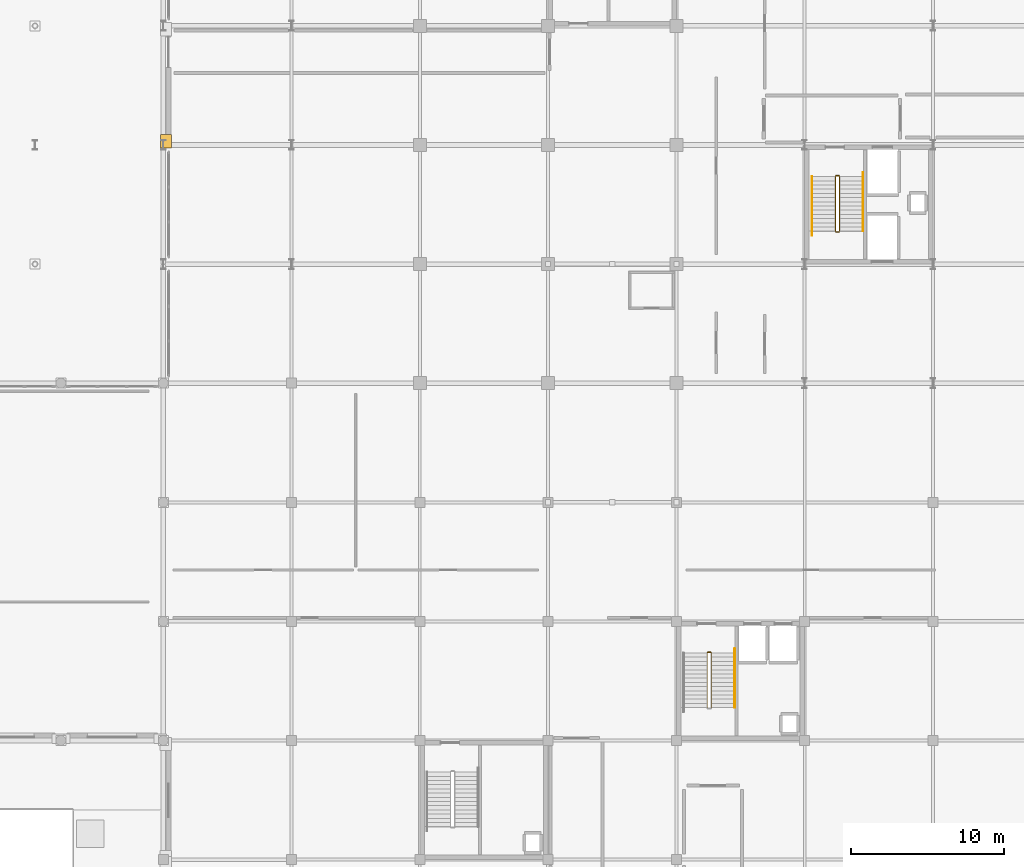
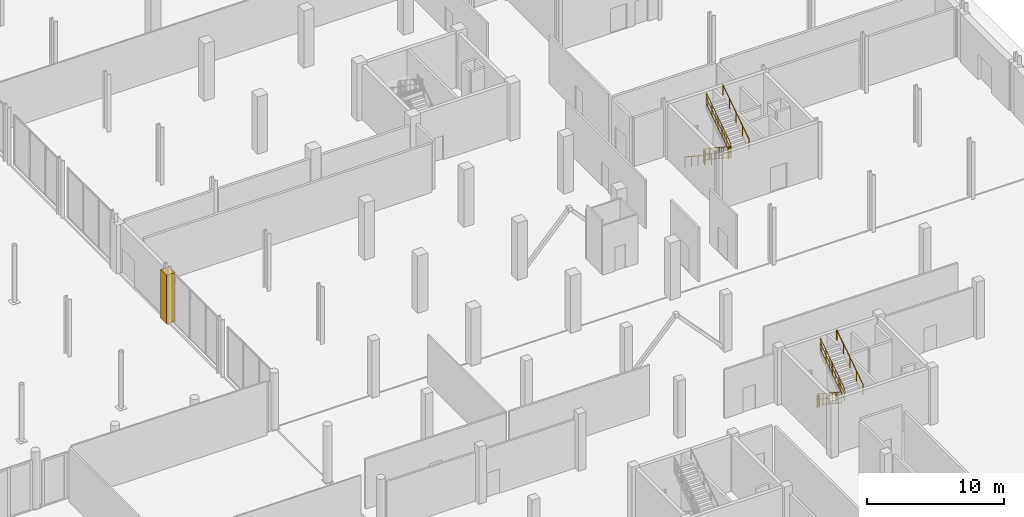
# One storey, part 77 of 80: 10 railings, 1 covering.
"""IFC4 building model written with IfcOpenShell, lengths in metres."""

from ifc_helpers import new_model, si_unit, direction, frame, origin, origin_2d, place, context, subcontext, project, spatial, polyline, circle, outline, extrude, material, layer, layer_set, type_object, element, save


model = new_model("IFC4")

# Units and contexts
model_context = context("Model", 3, precision=1e-05, world=origin(), true_north=direction((0.0, 1.0)))
body_context = subcontext(model_context, "Body", "Model", "MODEL_VIEW")
ifc_project = project(units=[si_unit("LENGTHUNIT", "METRE"), si_unit("AREAUNIT", "SQUARE_METRE"), si_unit("VOLUMEUNIT", "CUBIC_METRE"), si_unit("PLANEANGLEUNIT", "RADIAN"), si_unit("MASSUNIT", "GRAM", prefix="KILO")], contexts=[model_context])

# Site, building, storey
site_placement = place(None, origin())
site = spatial("IfcSite", under=ifc_project, at=site_placement, CompositionType="ELEMENT")
building_placement = place(site_placement, origin())
building = spatial("IfcBuilding", under=site, at=building_placement, Name="Nabrawat Pavilion Hospital", CompositionType="ELEMENT")
storey_placement = place(building_placement, origin())
storey = spatial("IfcBuildingStorey", under=building, at=storey_placement, Name="L00", CompositionType="ELEMENT", Elevation=0.0)

# Covering
ifc_material_1 = material(Name="Precast concrete C40/50", Category="concrete")
ifc_layer_1 = layer(ifc_material_1, 0.360107421875, Name="Precast concrete C40/50")
ifc_layer_set_1 = layer_set([ifc_layer_1], Name="Precast concrete C40/50")
covering_type = type_object("IfcCoveringType", Name="Architectural Precast Column-Jamb Closure Reveal", PredefinedType="CLADDING", material=ifc_layer_set_1)
covering_placement = place(storey_placement, origin())
element("IfcCovering", 1, at=covering_placement, inside=storey, type_object=covering_type, Name="L00 Precast Facade Column-Jamb Weatherseal Closure 0119", PredefinedType="CLADDING", context=body_context, shape_type="SweptSolid", body=[
    extrude(outline(polyline([(126.52001953125, 54.388916015625), (126.52001953125, 55.276123046875), (125.820068359375, 55.276123046875), (125.820068359375, 54.388916015625), (126.52001953125, 54.388916015625)])), origin(), (0.0, 0.0, 1.0), 4.330078125),
])

# Railings
ifc_material_2 = material(Name="Stainless Steel 316", Category="steel")
ifc_layer_2 = layer(ifc_material_2, 0.050048828125, Name="Stainless Steel 316")
ifc_layer_set_2 = layer_set([ifc_layer_2], Name="Stainless Steel 316")
railing_type_1 = type_object("IfcRailingType", Name="Stair Open-Well Safety Guardrail 1100", PredefinedType="GUARDRAIL", material=ifc_layer_set_2)
railing_1_placement = place(storey_placement, frame((161.625, 21.330078125, 0.18212890625)))
element("IfcRailing", 2, at=railing_1_placement, inside=storey, type_object=railing_type_1, Name="L00 ST-04 stair guard 1", PredefinedType="GUARDRAIL", context=body_context, shape_type="SweptSolid", body=[
    extrude(circle(Radius=0.02392578125, at=origin_2d()), frame((0.0, 0.0, 1.076171875), z_axis=(0.0, -0.833719449677, 0.5521882643), x_axis=(1.0, 0.0, 0.0)), (0.0, 0.0, 1.0), 4.288330078125),
    extrude(circle(Radius=0.02392578125, at=origin_2d()), frame((0.0, 0.0, 0.10009765625), z_axis=(0.0, -0.833719449677, 0.5521882643), x_axis=(1.0, 0.0, 0.0)), (0.0, 0.0, 1.0), 4.288330078125),
    extrude(circle(Radius=0.02392578125, at=origin_2d()), frame((0.0, 0.0, 0.60498046875), z_axis=(0.0, -0.833719449677, 0.5521882643), x_axis=(1.0, 0.0, 0.0)), (0.0, 0.0, 1.0), 4.288330078125),
    extrude(circle(Radius=0.008056640625, at=origin_2d()), frame((0.0, -0.19873046875, 0.2314453125)), (0.0, 0.0, 1.0), 0.951904296875),
    extrude(circle(Radius=0.008056640625, at=origin_2d()), frame((0.0, -0.397216796875, 0.363037109375)), (0.0, 0.0, 1.0), 0.951904296875),
    extrude(circle(Radius=0.008056640625, at=origin_2d()), frame((0.0, -0.595947265625, 0.49462890625)), (0.0, 0.0, 1.0), 0.951904296875),
    extrude(circle(Radius=0.008056640625, at=origin_2d()), frame((0.0, -0.79443359375, 0.626220703125)), (0.0, 0.0, 1.0), 0.951904296875),
    extrude(circle(Radius=0.008056640625, at=origin_2d()), frame((0.0, -0.9931640625, 0.7578125)), (0.0, 0.0, 1.0), 0.951904296875),
    extrude(circle(Radius=0.008056640625, at=origin_2d()), frame((0.0, -1.191650390625, 0.889404296875)), (0.0, 0.0, 1.0), 0.951904296875),
    extrude(circle(Radius=0.008056640625, at=origin_2d()), frame((0.0, -1.390380859375, 1.020751953125)), (0.0, 0.0, 1.0), 0.951904296875),
    extrude(circle(Radius=0.008056640625, at=origin_2d()), frame((0.0, -1.5888671875, 1.15234375)), (0.0, 0.0, 1.0), 0.951904296875),
    extrude(circle(Radius=0.008056640625, at=origin_2d()), frame((0.0, -1.986328125, 1.41552734375)), (0.0, 0.0, 1.0), 0.951904296875),
    extrude(circle(Radius=0.008056640625, at=origin_2d()), frame((0.0, -2.184814453125, 1.547119140625)), (0.0, 0.0, 1.0), 0.951904296875),
    extrude(circle(Radius=0.008056640625, at=origin_2d()), frame((0.0, -2.383544921875, 1.6787109375)), (0.0, 0.0, 1.0), 0.951904296875),
    extrude(circle(Radius=0.008056640625, at=origin_2d()), frame((0.0, -2.58203125, 1.81005859375)), (0.0, 0.0, 1.0), 0.951904296875),
    extrude(circle(Radius=0.008056640625, at=origin_2d()), frame((0.0, -2.78076171875, 1.941650390625)), (0.0, 0.0, 1.0), 0.951904296875),
    extrude(circle(Radius=0.008056640625, at=origin_2d()), frame((0.0, -2.979248046875, 2.0732421875)), (0.0, 0.0, 1.0), 0.951904296875),
    extrude(circle(Radius=0.008056640625, at=origin_2d()), frame((0.0, -3.177978515625, 2.204833984375)), (0.0, 0.0, 1.0), 0.951904296875),
    extrude(circle(Radius=0.008056640625, at=origin_2d()), frame((0.0, -3.37646484375, 2.33642578125)), (0.0, 0.0, 1.0), 0.951904296875),
    extrude(circle(Radius=0.02099609375, at=origin_2d()), origin(), (0.0, 0.0, 1.0), 1.052001953125),
    extrude(circle(Radius=0.02099609375, at=origin_2d()), frame((0.0, -0.893798828125, 0.592041015625)), (0.0, 0.0, 1.0), 1.052001953125),
    extrude(circle(Radius=0.02099609375, at=origin_2d()), frame((0.0, -1.78759765625, 1.18408203125)), (0.0, 0.0, 1.0), 1.052001953125),
    extrude(circle(Radius=0.02099609375, at=origin_2d()), frame((0.0, -2.681396484375, 1.77587890625)), (0.0, 0.0, 1.0), 1.052001953125),
    extrude(circle(Radius=0.02099609375, at=origin_2d()), frame((0.0, -3.5751953125, 2.367919921875)), (0.0, 0.0, 1.0), 1.052001953125),
])
railing_2_placement = place(storey_placement, frame((161.875, 17.7548828125, 2.732177734375)))
element("IfcRailing", 3, at=railing_2_placement, inside=storey, type_object=railing_type_1, Name="L00 ST-04 stair guard 3", PredefinedType="GUARDRAIL", context=body_context, shape_type="SweptSolid", body=[
    extrude(circle(Radius=0.02392578125, at=origin_2d()), frame((0.0, 0.0, 1.076171875), z_axis=(0.0, 0.833719449677, 0.5521882643), x_axis=(-1.0, 0.0, 0.0)), (0.0, 0.0, 1.0), 4.288330078125),
    extrude(circle(Radius=0.02392578125, at=origin_2d()), frame((0.0, 0.0, 0.10009765625), z_axis=(0.0, 0.833719449677, 0.5521882643), x_axis=(-1.0, 0.0, 0.0)), (0.0, 0.0, 1.0), 4.288330078125),
    extrude(circle(Radius=0.02392578125, at=origin_2d()), frame((0.0, 0.0, 0.60498046875), z_axis=(0.0, 0.833719449677, 0.5521882643), x_axis=(-1.0, 0.0, 0.0)), (0.0, 0.0, 1.0), 4.288330078125),
    extrude(circle(Radius=0.008056640625, at=origin_2d()), frame((0.0, 0.19873046875, 0.2314453125)), (0.0, 0.0, 1.0), 0.951904296875),
    extrude(circle(Radius=0.008056640625, at=origin_2d()), frame((0.0, 0.397216796875, 0.363037109375)), (0.0, 0.0, 1.0), 0.951904296875),
    extrude(circle(Radius=0.008056640625, at=origin_2d()), frame((0.0, 0.595947265625, 0.49462890625)), (0.0, 0.0, 1.0), 0.951904296875),
    extrude(circle(Radius=0.008056640625, at=origin_2d()), frame((0.0, 0.79443359375, 0.626220703125)), (0.0, 0.0, 1.0), 0.951904296875),
    extrude(circle(Radius=0.008056640625, at=origin_2d()), frame((0.0, 0.9931640625, 0.7578125)), (0.0, 0.0, 1.0), 0.951904296875),
    extrude(circle(Radius=0.008056640625, at=origin_2d()), frame((0.0, 1.191650390625, 0.889404296875)), (0.0, 0.0, 1.0), 0.951904296875),
    extrude(circle(Radius=0.008056640625, at=origin_2d()), frame((0.0, 1.390380859375, 1.020751953125)), (0.0, 0.0, 1.0), 0.951904296875),
    extrude(circle(Radius=0.008056640625, at=origin_2d()), frame((0.0, 1.5888671875, 1.15234375)), (0.0, 0.0, 1.0), 0.951904296875),
    extrude(circle(Radius=0.008056640625, at=origin_2d()), frame((0.0, 1.986328125, 1.41552734375)), (0.0, 0.0, 1.0), 0.951904296875),
    extrude(circle(Radius=0.008056640625, at=origin_2d()), frame((0.0, 2.184814453125, 1.547119140625)), (0.0, 0.0, 1.0), 0.951904296875),
    extrude(circle(Radius=0.008056640625, at=origin_2d()), frame((0.0, 2.383544921875, 1.6787109375)), (0.0, 0.0, 1.0), 0.951904296875),
    extrude(circle(Radius=0.008056640625, at=origin_2d()), frame((0.0, 2.58203125, 1.81005859375)), (0.0, 0.0, 1.0), 0.951904296875),
    extrude(circle(Radius=0.008056640625, at=origin_2d()), frame((0.0, 2.78076171875, 1.941650390625)), (0.0, 0.0, 1.0), 0.951904296875),
    extrude(circle(Radius=0.008056640625, at=origin_2d()), frame((0.0, 2.979248046875, 2.0732421875)), (0.0, 0.0, 1.0), 0.951904296875),
    extrude(circle(Radius=0.008056640625, at=origin_2d()), frame((0.0, 3.177978515625, 2.204833984375)), (0.0, 0.0, 1.0), 0.951904296875),
    extrude(circle(Radius=0.008056640625, at=origin_2d()), frame((0.0, 3.37646484375, 2.33642578125)), (0.0, 0.0, 1.0), 0.951904296875),
    extrude(circle(Radius=0.02099609375, at=origin_2d()), origin(), (0.0, 0.0, 1.0), 1.052001953125),
    extrude(circle(Radius=0.02099609375, at=origin_2d()), frame((0.0, 0.893798828125, 0.592041015625)), (0.0, 0.0, 1.0), 1.052001953125),
    extrude(circle(Radius=0.02099609375, at=origin_2d()), frame((0.0, 1.78759765625, 1.18408203125)), (0.0, 0.0, 1.0), 1.052001953125),
    extrude(circle(Radius=0.02099609375, at=origin_2d()), frame((0.0, 2.681396484375, 1.77587890625)), (0.0, 0.0, 1.0), 1.052001953125),
    extrude(circle(Radius=0.02099609375, at=origin_2d()), frame((0.0, 3.5751953125, 2.367919921875)), (0.0, 0.0, 1.0), 1.052001953125),
])
railing_3_placement = place(storey_placement, frame((161.64990234375, 21.3798828125, 0.0)))
element("IfcRailing", 4, at=railing_3_placement, inside=storey, type_object=railing_type_1, Name="L00 ST-04 stair guard 4", PredefinedType="GUARDRAIL", context=body_context, shape_type="SweptSolid", body=[
    extrude(circle(Radius=0.02392578125, at=origin_2d()), frame((0.0, 0.0, 1.076171875), z_axis=(1.0, 0.0, 0.0), x_axis=(0.0, 1.0, 0.0)), (0.0, 0.0, 1.0), 0.2001953125),
    extrude(circle(Radius=0.02392578125, at=origin_2d()), frame((0.0, 0.0, 0.10009765625), z_axis=(1.0, 0.0, 0.0), x_axis=(0.0, 1.0, 0.0)), (0.0, 0.0, 1.0), 0.2001953125),
    extrude(circle(Radius=0.02392578125, at=origin_2d()), frame((0.0, 0.0, 0.60498046875), z_axis=(1.0, 0.0, 0.0), x_axis=(0.0, 1.0, 0.0)), (0.0, 0.0, 1.0), 0.2001953125),
    extrude(circle(Radius=0.008056640625, at=origin_2d()), frame((0.10009765625, 0.0, 0.10009765625)), (0.0, 0.0, 1.0), 0.951904296875),
    extrude(circle(Radius=0.02099609375, at=origin_2d()), origin(), (0.0, 0.0, 1.0), 1.052001953125),
    extrude(circle(Radius=0.02099609375, at=origin_2d()), frame((0.2001953125, 0.0, 0.0)), (0.0, 0.0, 1.0), 1.052001953125),
])
railing_4_placement = place(storey_placement, frame((170.02490234375, 52.530029296875, 0.18212890625)))
element("IfcRailing", 5, at=railing_4_placement, inside=storey, type_object=railing_type_1, Name="L00 ST-05 stair guard 1", PredefinedType="GUARDRAIL", context=body_context, shape_type="SweptSolid", body=[
    extrude(circle(Radius=0.02392578125, at=origin_2d()), frame((0.0, 0.0, 1.076171875), z_axis=(0.0, -0.833702089047, 0.552214475289), x_axis=(1.0, 0.0, 0.0)), (0.0, 0.0, 1.0), 4.2880859375),
    extrude(circle(Radius=0.02392578125, at=origin_2d()), frame((0.0, 0.0, 0.10009765625), z_axis=(0.0, -0.833702089047, 0.552214475289), x_axis=(1.0, 0.0, 0.0)), (0.0, 0.0, 1.0), 4.2880859375),
    extrude(circle(Radius=0.02392578125, at=origin_2d()), frame((0.0, 0.0, 0.60498046875), z_axis=(0.0, -0.833702089047, 0.552214475289), x_axis=(1.0, 0.0, 0.0)), (0.0, 0.0, 1.0), 4.2880859375),
    extrude(circle(Radius=0.008056640625, at=origin_2d()), frame((0.0, -0.19873046875, 0.2314453125)), (0.0, 0.0, 1.0), 0.951904296875),
    extrude(circle(Radius=0.008056640625, at=origin_2d()), frame((0.0, -0.397216796875, 0.363037109375)), (0.0, 0.0, 1.0), 0.951904296875),
    extrude(circle(Radius=0.008056640625, at=origin_2d()), frame((0.0, -0.595703125, 0.49462890625)), (0.0, 0.0, 1.0), 0.951904296875),
    extrude(circle(Radius=0.008056640625, at=origin_2d()), frame((0.0, -0.79443359375, 0.626220703125)), (0.0, 0.0, 1.0), 0.951904296875),
    extrude(circle(Radius=0.008056640625, at=origin_2d()), frame((0.0, -0.9931640625, 0.7578125)), (0.0, 0.0, 1.0), 0.951904296875),
    extrude(circle(Radius=0.008056640625, at=origin_2d()), frame((0.0, -1.191650390625, 0.889404296875)), (0.0, 0.0, 1.0), 0.951904296875),
    extrude(circle(Radius=0.008056640625, at=origin_2d()), frame((0.0, -1.39013671875, 1.020751953125)), (0.0, 0.0, 1.0), 0.951904296875),
    extrude(circle(Radius=0.008056640625, at=origin_2d()), frame((0.0, -1.5888671875, 1.15234375)), (0.0, 0.0, 1.0), 0.951904296875),
    extrude(circle(Radius=0.008056640625, at=origin_2d()), frame((0.0, -1.986083984375, 1.41552734375)), (0.0, 0.0, 1.0), 0.951904296875),
    extrude(circle(Radius=0.008056640625, at=origin_2d()), frame((0.0, -2.1845703125, 1.547119140625)), (0.0, 0.0, 1.0), 0.951904296875),
    extrude(circle(Radius=0.008056640625, at=origin_2d()), frame((0.0, -2.38330078125, 1.6787109375)), (0.0, 0.0, 1.0), 0.951904296875),
    extrude(circle(Radius=0.008056640625, at=origin_2d()), frame((0.0, -2.58203125, 1.81005859375)), (0.0, 0.0, 1.0), 0.951904296875),
    extrude(circle(Radius=0.008056640625, at=origin_2d()), frame((0.0, -2.780517578125, 1.941650390625)), (0.0, 0.0, 1.0), 0.951904296875),
    extrude(circle(Radius=0.008056640625, at=origin_2d()), frame((0.0, -2.97900390625, 2.0732421875)), (0.0, 0.0, 1.0), 0.951904296875),
    extrude(circle(Radius=0.008056640625, at=origin_2d()), frame((0.0, -3.177734375, 2.204833984375)), (0.0, 0.0, 1.0), 0.951904296875),
    extrude(circle(Radius=0.008056640625, at=origin_2d()), frame((0.0, -3.37646484375, 2.33642578125)), (0.0, 0.0, 1.0), 0.951904296875),
    extrude(circle(Radius=0.02099609375, at=origin_2d()), origin(), (0.0, 0.0, 1.0), 1.052001953125),
    extrude(circle(Radius=0.02099609375, at=origin_2d()), frame((0.0, -0.893798828125, 0.592041015625)), (0.0, 0.0, 1.0), 1.052001953125),
    extrude(circle(Radius=0.02099609375, at=origin_2d()), frame((0.0, -1.78759765625, 1.18408203125)), (0.0, 0.0, 1.0), 1.052001953125),
    extrude(circle(Radius=0.02099609375, at=origin_2d()), frame((0.0, -2.68115234375, 1.77587890625)), (0.0, 0.0, 1.0), 1.052001953125),
    extrude(circle(Radius=0.02099609375, at=origin_2d()), frame((0.0, -3.574951171875, 2.367919921875)), (0.0, 0.0, 1.0), 1.052001953125),
])
railing_5_placement = place(storey_placement, frame((170.050048828125, 48.905029296875, 2.550048828125)))
element("IfcRailing", 6, at=railing_5_placement, inside=storey, type_object=railing_type_1, Name="L00 ST-05 stair guard 2", PredefinedType="GUARDRAIL", context=body_context, shape_type="SweptSolid", body=[
    extrude(circle(Radius=0.02392578125, at=origin_2d()), frame((0.0, 0.0, 1.076171875), z_axis=(1.0, 0.0, 0.0), x_axis=(0.0, 1.0, 0.0)), (0.0, 0.0, 1.0), 0.199951171875),
    extrude(circle(Radius=0.02392578125, at=origin_2d()), frame((0.0, 0.0, 0.10009765625), z_axis=(1.0, 0.0, 0.0), x_axis=(0.0, 1.0, 0.0)), (0.0, 0.0, 1.0), 0.199951171875),
    extrude(circle(Radius=0.02392578125, at=origin_2d()), frame((0.0, 0.0, 0.60498046875), z_axis=(1.0, 0.0, 0.0), x_axis=(0.0, 1.0, 0.0)), (0.0, 0.0, 1.0), 0.199951171875),
    extrude(circle(Radius=0.008056640625, at=origin_2d()), frame((0.10009765625, 0.0, 0.10009765625)), (0.0, 0.0, 1.0), 0.951904296875),
    extrude(circle(Radius=0.02099609375, at=origin_2d()), origin(), (0.0, 0.0, 1.0), 1.052001953125),
    extrude(circle(Radius=0.02099609375, at=origin_2d()), frame((0.199951171875, 0.0, 0.0)), (0.0, 0.0, 1.0), 1.052001953125),
])
railing_6_placement = place(storey_placement, frame((170.27490234375, 48.955078125, 2.732177734375)))
element("IfcRailing", 7, at=railing_6_placement, inside=storey, type_object=railing_type_1, Name="L00 ST-05 stair guard 3", PredefinedType="GUARDRAIL", context=body_context, shape_type="SweptSolid", body=[
    extrude(circle(Radius=0.02392578125, at=origin_2d()), frame((0.0, 0.0, 1.076171875), z_axis=(0.0, 0.833702089047, 0.552214475289), x_axis=(-1.0, 0.0, 0.0)), (0.0, 0.0, 1.0), 4.2880859375),
    extrude(circle(Radius=0.02392578125, at=origin_2d()), frame((0.0, 0.0, 0.10009765625), z_axis=(0.0, 0.833702089047, 0.552214475289), x_axis=(-1.0, 0.0, 0.0)), (0.0, 0.0, 1.0), 4.2880859375),
    extrude(circle(Radius=0.02392578125, at=origin_2d()), frame((0.0, 0.0, 0.60498046875), z_axis=(0.0, 0.833702089047, 0.552214475289), x_axis=(-1.0, 0.0, 0.0)), (0.0, 0.0, 1.0), 4.2880859375),
    extrude(circle(Radius=0.008056640625, at=origin_2d()), frame((0.0, 0.19873046875, 0.2314453125)), (0.0, 0.0, 1.0), 0.951904296875),
    extrude(circle(Radius=0.008056640625, at=origin_2d()), frame((0.0, 0.397216796875, 0.363037109375)), (0.0, 0.0, 1.0), 0.951904296875),
    extrude(circle(Radius=0.008056640625, at=origin_2d()), frame((0.0, 0.595703125, 0.49462890625)), (0.0, 0.0, 1.0), 0.951904296875),
    extrude(circle(Radius=0.008056640625, at=origin_2d()), frame((0.0, 0.79443359375, 0.626220703125)), (0.0, 0.0, 1.0), 0.951904296875),
    extrude(circle(Radius=0.008056640625, at=origin_2d()), frame((0.0, 0.9931640625, 0.7578125)), (0.0, 0.0, 1.0), 0.951904296875),
    extrude(circle(Radius=0.008056640625, at=origin_2d()), frame((0.0, 1.191650390625, 0.889404296875)), (0.0, 0.0, 1.0), 0.951904296875),
    extrude(circle(Radius=0.008056640625, at=origin_2d()), frame((0.0, 1.39013671875, 1.020751953125)), (0.0, 0.0, 1.0), 0.951904296875),
    extrude(circle(Radius=0.008056640625, at=origin_2d()), frame((0.0, 1.5888671875, 1.15234375)), (0.0, 0.0, 1.0), 0.951904296875),
    extrude(circle(Radius=0.008056640625, at=origin_2d()), frame((0.0, 1.986083984375, 1.41552734375)), (0.0, 0.0, 1.0), 0.951904296875),
    extrude(circle(Radius=0.008056640625, at=origin_2d()), frame((0.0, 2.1845703125, 1.547119140625)), (0.0, 0.0, 1.0), 0.951904296875),
    extrude(circle(Radius=0.008056640625, at=origin_2d()), frame((0.0, 2.38330078125, 1.6787109375)), (0.0, 0.0, 1.0), 0.951904296875),
    extrude(circle(Radius=0.008056640625, at=origin_2d()), frame((0.0, 2.58203125, 1.81005859375)), (0.0, 0.0, 1.0), 0.951904296875),
    extrude(circle(Radius=0.008056640625, at=origin_2d()), frame((0.0, 2.780517578125, 1.941650390625)), (0.0, 0.0, 1.0), 0.951904296875),
    extrude(circle(Radius=0.008056640625, at=origin_2d()), frame((0.0, 2.97900390625, 2.0732421875)), (0.0, 0.0, 1.0), 0.951904296875),
    extrude(circle(Radius=0.008056640625, at=origin_2d()), frame((0.0, 3.177734375, 2.204833984375)), (0.0, 0.0, 1.0), 0.951904296875),
    extrude(circle(Radius=0.008056640625, at=origin_2d()), frame((0.0, 3.37646484375, 2.33642578125)), (0.0, 0.0, 1.0), 0.951904296875),
    extrude(circle(Radius=0.02099609375, at=origin_2d()), origin(), (0.0, 0.0, 1.0), 1.052001953125),
    extrude(circle(Radius=0.02099609375, at=origin_2d()), frame((0.0, 0.893798828125, 0.592041015625)), (0.0, 0.0, 1.0), 1.052001953125),
    extrude(circle(Radius=0.02099609375, at=origin_2d()), frame((0.0, 1.78759765625, 1.18408203125)), (0.0, 0.0, 1.0), 1.052001953125),
    extrude(circle(Radius=0.02099609375, at=origin_2d()), frame((0.0, 2.68115234375, 1.77587890625)), (0.0, 0.0, 1.0), 1.052001953125),
    extrude(circle(Radius=0.02099609375, at=origin_2d()), frame((0.0, 3.574951171875, 2.367919921875)), (0.0, 0.0, 1.0), 1.052001953125),
])
railing_7_placement = place(storey_placement, frame((170.050048828125, 52.580078125, 0.0)))
element("IfcRailing", 8, at=railing_7_placement, inside=storey, type_object=railing_type_1, Name="L00 ST-05 stair guard 4", PredefinedType="GUARDRAIL", context=body_context, shape_type="SweptSolid", body=[
    extrude(circle(Radius=0.02392578125, at=origin_2d()), frame((0.0, 0.0, 1.076171875), z_axis=(1.0, 0.0, 0.0), x_axis=(0.0, 1.0, 0.0)), (0.0, 0.0, 1.0), 0.199951171875),
    extrude(circle(Radius=0.02392578125, at=origin_2d()), frame((0.0, 0.0, 0.10009765625), z_axis=(1.0, 0.0, 0.0), x_axis=(0.0, 1.0, 0.0)), (0.0, 0.0, 1.0), 0.199951171875),
    extrude(circle(Radius=0.02392578125, at=origin_2d()), frame((0.0, 0.0, 0.60498046875), z_axis=(1.0, 0.0, 0.0), x_axis=(0.0, 1.0, 0.0)), (0.0, 0.0, 1.0), 0.199951171875),
    extrude(circle(Radius=0.008056640625, at=origin_2d()), frame((0.10009765625, 0.0, 0.10009765625)), (0.0, 0.0, 1.0), 0.951904296875),
    extrude(circle(Radius=0.02099609375, at=origin_2d()), origin(), (0.0, 0.0, 1.0), 1.052001953125),
    extrude(circle(Radius=0.02099609375, at=origin_2d()), frame((0.199951171875, 0.0, 0.0)), (0.0, 0.0, 1.0), 1.052001953125),
])
ifc_layer_3 = layer(ifc_material_2, 0.044921875, Name="Stainless Steel 316")
ifc_layer_set_3 = layer_set([ifc_layer_3], Name="Stainless Steel 316")
railing_type_2 = type_object("IfcRailingType", Name="Stair Pitch Continuous Handrail 920", PredefinedType="HANDRAIL", material=ifc_layer_set_3)
railing_8_placement = place(storey_placement, frame((163.425048828125, 17.7548828125, 2.736083984375)))
element("IfcRailing", 9, at=railing_8_placement, inside=storey, type_object=railing_type_2, Name="L00 ST-04 stair handrail 2", PredefinedType="HANDRAIL", context=body_context, shape_type="SweptSolid", body=[
    extrude(circle(Radius=0.02392578125, at=origin_2d()), frame((0.0, 0.0, 0.89599609375), z_axis=(0.0, 0.833713881912, 0.552196670677), x_axis=(-1.0, 0.0, 0.0)), (0.0, 0.0, 1.0), 4.617919921875),
    extrude(circle(Radius=0.02099609375, at=origin_2d()), origin(), (0.0, 0.0, 1.0), 0.871826171875),
    extrude(circle(Radius=0.02099609375, at=origin_2d()), frame((0.0, 0.96240234375, 0.637451171875)), (0.0, 0.0, 1.0), 0.871826171875),
    extrude(circle(Radius=0.02099609375, at=origin_2d()), frame((0.0, 1.925048828125, 1.27490234375)), (0.0, 0.0, 1.0), 0.871826171875),
    extrude(circle(Radius=0.02099609375, at=origin_2d()), frame((0.0, 2.8876953125, 1.91259765625)), (0.0, 0.0, 1.0), 0.871826171875),
    extrude(circle(Radius=0.02099609375, at=origin_2d()), frame((0.0, 3.85009765625, 2.550048828125)), (0.0, 0.0, 1.0), 0.871826171875),
])
railing_9_placement = place(storey_placement, frame((168.47509765625, 52.530029296875, 0.18603515625)))
element("IfcRailing", 10, at=railing_9_placement, inside=storey, type_object=railing_type_2, Name="L00 ST-05 stair handrail 1", PredefinedType="HANDRAIL", context=body_context, shape_type="SweptSolid", body=[
    extrude(circle(Radius=0.02392578125, at=origin_2d()), frame((0.0, 0.0, 0.89599609375), z_axis=(0.0, -0.833713881912, 0.552196670677), x_axis=(1.0, 0.0, 0.0)), (0.0, 0.0, 1.0), 4.617919921875),
    extrude(circle(Radius=0.02099609375, at=origin_2d()), origin(), (0.0, 0.0, 1.0), 0.871826171875),
    extrude(circle(Radius=0.02099609375, at=origin_2d()), frame((0.0, -0.96240234375, 0.637451171875)), (0.0, 0.0, 1.0), 0.871826171875),
    extrude(circle(Radius=0.02099609375, at=origin_2d()), frame((0.0, -1.925048828125, 1.27490234375)), (0.0, 0.0, 1.0), 0.871826171875),
    extrude(circle(Radius=0.02099609375, at=origin_2d()), frame((0.0, -2.8876953125, 1.91259765625)), (0.0, 0.0, 1.0), 0.871826171875),
    extrude(circle(Radius=0.02099609375, at=origin_2d()), frame((0.0, -3.85009765625, 2.550048828125)), (0.0, 0.0, 1.0), 0.871826171875),
])
railing_10_placement = place(storey_placement, frame((171.824951171875, 48.955078125, 2.736083984375)))
element("IfcRailing", 11, at=railing_10_placement, inside=storey, type_object=railing_type_2, Name="L00 ST-05 stair handrail 2", PredefinedType="HANDRAIL", context=body_context, shape_type="SweptSolid", body=[
    extrude(circle(Radius=0.02392578125, at=origin_2d()), frame((0.0, 0.0, 0.89599609375), z_axis=(0.0, 0.833697760554, 0.552221010146), x_axis=(-1.0, 0.0, 0.0)), (0.0, 0.0, 1.0), 4.617919921875),
    extrude(circle(Radius=0.02099609375, at=origin_2d()), origin(), (0.0, 0.0, 1.0), 0.871826171875),
    extrude(circle(Radius=0.02099609375, at=origin_2d()), frame((0.0, 0.96240234375, 0.637451171875)), (0.0, 0.0, 1.0), 0.871826171875),
    extrude(circle(Radius=0.02099609375, at=origin_2d()), frame((0.0, 1.9248046875, 1.27490234375)), (0.0, 0.0, 1.0), 0.871826171875),
    extrude(circle(Radius=0.02099609375, at=origin_2d()), frame((0.0, 2.887451171875, 1.91259765625)), (0.0, 0.0, 1.0), 0.871826171875),
    extrude(circle(Radius=0.02099609375, at=origin_2d()), frame((0.0, 3.849853515625, 2.550048828125)), (0.0, 0.0, 1.0), 0.871826171875),
])

save(model, "model.ifc")
